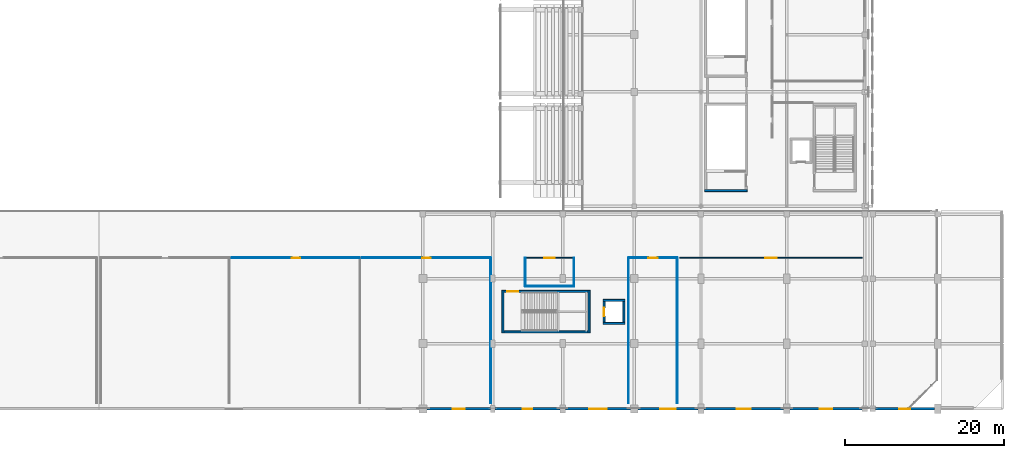
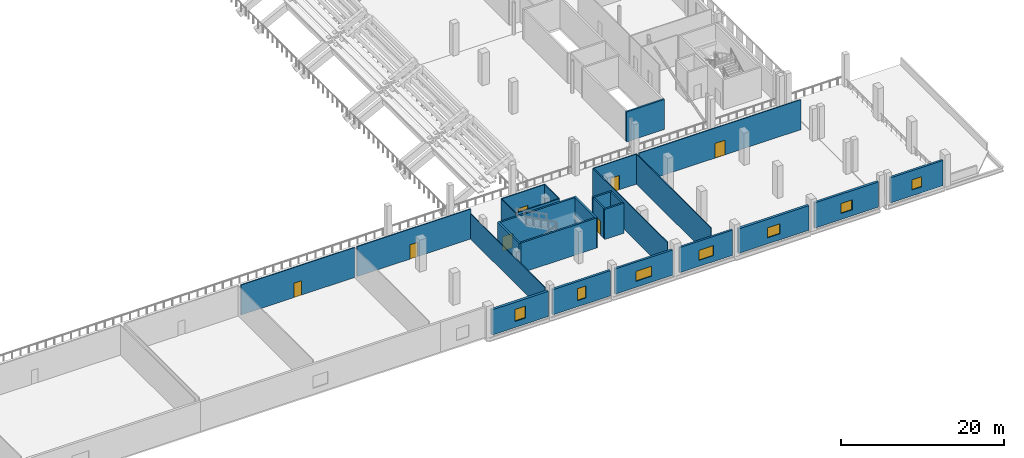
# One storey, part 36 of 74: 27 walls, 7 doors, 7 windows, 14 openings.
"""IFC4 building model written with IfcOpenShell, lengths in metres."""

from ifc_helpers import new_model, si_unit, direction, frame, frame_2d, origin, place, context, subcontext, project, spatial, rectangle, extrude, material, layer, layer_set, type_object, element, fill, save


model = new_model("IFC4")

# Units and contexts
model_context = context("Model", 3, precision=1e-05, world=origin(), true_north=direction((0.0, 1.0)))
body_context = subcontext(model_context, "Body", "Model", "MODEL_VIEW")
ifc_project = project(units=[si_unit("LENGTHUNIT", "METRE"), si_unit("AREAUNIT", "SQUARE_METRE"), si_unit("VOLUMEUNIT", "CUBIC_METRE"), si_unit("PLANEANGLEUNIT", "RADIAN"), si_unit("MASSUNIT", "GRAM", prefix="KILO")], contexts=[model_context])

# Site, building, storey
site_placement = place(None, origin())
site = spatial("IfcSite", under=ifc_project, at=site_placement, CompositionType="ELEMENT")
building_placement = place(site_placement, origin())
building = spatial("IfcBuilding", under=site, at=building_placement, Name="Koshinbarg Plaza Stadium", CompositionType="ELEMENT")
storey_placement = place(building_placement, frame((0.0, 0.0, 15.0)))
storey = spatial("IfcBuildingStorey", under=building, at=storey_placement, Name="L03", CompositionType="ELEMENT", Elevation=15.0)

# Walls
ifc_material_1 = material(Name="Concrete C40/50", Category="concrete")
ifc_layer_1 = layer(ifc_material_1, 0.25)
ifc_layer_set_1 = layer_set([ifc_layer_1], Name="Concrete C40/50")
wall_type_1 = type_object("IfcWallType", Name="WL-CORE-250", PredefinedType="SHEAR", material=ifc_layer_set_1)
for number, where, z_axis, x_axis, name in (
    (1, (172.875, 14.919921875, 0.0), (0.0, 0.0, 1.0), (0.0, -1.0, 0.0), "L03 core stair shear wall C14-near IWL-L03-0322"),
    (2, (183.72509765625, 9.550048828125, 0.0), (0.0, 0.0, 1.0), (0.0, 1.0, 0.0), "L03 core stair shear wall C14-far IWL-L03-0323"),
):
    element("IfcWall", number, at=place(storey_placement, frame(where, z_axis=z_axis, x_axis=x_axis)), inside=storey, type_object=wall_type_1, Name=name, PredefinedType="SHEAR", context=body_context, shape_type="SweptSolid", body=[
        extrude(rectangle(XDim=5.369873046875, YDim=0.25, at=frame_2d((2.68505859375, 0.0))), origin(), (0.0, 0.0, 1.0), 4.5),
    ])

# Wall, opening, door
wall_1_placement = place(storey_placement, frame((172.875, 14.794921875, 0.0), z_axis=(0.0, 0.0, 1.0), x_axis=(1.0, 0.0, 0.0)))
wall_1 = element("IfcWall", 3, at=wall_1_placement, inside=storey, type_object=wall_type_1, Name="L03 core stair shear wall C14-left IWL-L03-0324", PredefinedType="SHEAR", context=body_context, shape_type="SweptSolid", body=[
    extrude(rectangle(XDim=10.85009765625, YDim=0.25, at=frame_2d((5.425048828125, 0.0))), origin(), (0.0, 0.0, 1.0), 4.5),
])
opening_1_placement = place(wall_1_placement, frame((0.52001953125, 0.0, 0.0)))
opening_1 = element("IfcOpeningElement", 4, at=opening_1_placement, cuts=wall_1, Name="Opening D-0143", PredefinedType="OPENING", context=body_context, shape_type="SweptSolid", body=[
    extrude(rectangle(XDim=1.39990234375, YDim=2.14990234375, at=frame_2d((0.699951171875, 1.074951171875))), frame((0.0, 0.135009765625, 0.0), z_axis=(0.0, -1.0, 0.0), x_axis=(1.0, 0.0, 0.0)), (0.0, 0.0, 1.0), 0.27001953125),
])
ifc_material_2 = material(Name="Painted galvanized steel fire door", Category="steel")
door_type_1 = type_object("IfcDoorType", Name="DR-STAIR-1400", OperationType="NOTDEFINED", PredefinedType="DOOR", material=ifc_material_2)
door_1_placement = place(opening_1_placement, frame((1.39990234375, 0.0, 0.0), z_axis=(0.0, 0.0, 1.0), x_axis=(-1.0, 0.0, 0.0)))
door_1 = element("IfcDoor", 5, at=door_1_placement, inside=storey, type_object=door_type_1, Name="L03 exit stair door C14", OperationType="SINGLE_SWING_RIGHT", OverallHeight=2.14990234375, OverallWidth=1.39990234375, PredefinedType="DOOR", context=body_context, shape_type="SweptSolid", body=[
    extrude(rectangle(XDim=1.39990234375, YDim=2.14990234375, at=frame_2d((0.699951171875, 1.074951171875))), frame((0.0, 0.02490234375, 0.0), z_axis=(0.0, -1.0, 0.0), x_axis=(1.0, 0.0, 0.0)), (0.0, 0.0, 1.0), 0.050048828125),
])
fill(opening_1, door_1)

# Walls
wall_2_placement = place(storey_placement, frame((172.875, 9.675048828125, 0.0), z_axis=(0.0, 0.0, 1.0), x_axis=(1.0, 0.0, 0.0)))
element("IfcWall", 6, at=wall_2_placement, inside=storey, type_object=wall_type_1, Name="L03 core stair shear wall C14-right IWL-L03-0325", PredefinedType="SHEAR", context=body_context, shape_type="SweptSolid", body=[
    extrude(rectangle(XDim=10.85009765625, YDim=0.25, at=frame_2d((5.425048828125, 0.0))), origin(), (0.0, 0.0, 1.0), 4.5),
])
wall_3_placement = place(storey_placement, frame((198.25, 27.47509765625, 0.0), z_axis=(0.0, 0.0, 1.0), x_axis=(1.0, 0.0, 0.0)))
element("IfcWall", 7, at=wall_3_placement, inside=storey, type_object=wall_type_1, Name="L03 vomitory stair shear wall VX07-near IWL-L03-0462", PredefinedType="SHEAR", context=body_context, shape_type="SweptSolid", body=[
    extrude(rectangle(XDim=5.3701171875, YDim=0.25, at=frame_2d((2.68505859375, 0.0))), origin(), (0.0, 0.0, 1.0), 4.5),
])
for number, where, z_axis, x_axis, name in (
    (8, (185.47509765625, 10.75, 0.0), (0.0, 0.0, 1.0), (1.0, 0.0, 0.0), "L03 lift shaft shear wall LP10-S IWL-L03-1022"),
    (9, (188.22509765625, 13.64990234375, 0.0), (0.0, 0.0, 1.0), (-1.0, 0.0, 0.0), "L03 lift shaft shear wall LP10-N IWL-L03-1023"),
):
    element("IfcWall", number, at=place(storey_placement, frame(where, z_axis=z_axis, x_axis=x_axis)), inside=storey, type_object=wall_type_1, Name=name, PredefinedType="SHEAR", context=body_context, shape_type="SweptSolid", body=[
        extrude(rectangle(XDim=2.75, YDim=0.25, at=frame_2d((1.375, 0.0))), origin(), (0.0, 0.0, 1.0), 4.5),
    ])

# Wall, opening, door
wall_4_placement = place(storey_placement, frame((185.60009765625, 13.64990234375, 0.0), z_axis=(0.0, 0.0, 1.0), x_axis=(0.0, -1.0, 0.0)))
wall_4 = element("IfcWall", 10, at=wall_4_placement, inside=storey, type_object=wall_type_1, Name="L03 lift shaft shear wall LP10-W IWL-L03-1024", PredefinedType="SHEAR", context=body_context, shape_type="SweptSolid", body=[
    extrude(rectangle(XDim=2.89990234375, YDim=0.25, at=frame_2d((1.449951171875, 0.0))), origin(), (0.0, 0.0, 1.0), 4.5),
])
opening_2_placement = place(wall_4_placement, frame((0.925048828125, 0.0, 0.0)))
opening_2 = element("IfcOpeningElement", 11, at=opening_2_placement, cuts=wall_4, Name="Opening D-0325", PredefinedType="OPENING", context=body_context, shape_type="SweptSolid", body=[
    extrude(rectangle(XDim=1.050048828125, YDim=2.14990234375, at=frame_2d((0.52490234375, 1.074951171875))), frame((0.0, 0.135009765625, 0.0), z_axis=(0.0, -1.0, 0.0), x_axis=(1.0, 0.0, 0.0)), (0.0, 0.0, 1.0), 0.27001953125),
])
ifc_material_3 = material(Name="Brushed stainless steel sliding lift landing door", Category="steel")
door_type_2 = type_object("IfcDoorType", Name="DR-LIFT-1050", OperationType="NOTDEFINED", PredefinedType="DOOR", material=ifc_material_3)
door_2_placement = place(opening_2_placement, origin())
door_2 = element("IfcDoor", 12, at=door_2_placement, inside=storey, type_object=door_type_2, Name="L03 lift landing door LP10", OperationType="SLIDING_TO_LEFT", OverallHeight=2.14990234375, OverallWidth=1.050048828125, PredefinedType="DOOR", context=body_context, shape_type="SweptSolid", body=[
    extrude(rectangle(XDim=1.050048828125, YDim=2.14990234375, at=frame_2d((0.52490234375, 1.074951171875))), frame((0.0, 0.02490234375, 0.0), z_axis=(0.0, -1.0, 0.0), x_axis=(1.0, 0.0, 0.0)), (0.0, 0.0, 1.0), 0.050048828125),
])
fill(opening_2, door_2)

# Wall
wall_5_placement = place(storey_placement, frame((188.10009765625, 10.75, 0.0), z_axis=(0.0, 0.0, 1.0), x_axis=(0.0, 1.0, 0.0)))
element("IfcWall", 13, at=wall_5_placement, inside=storey, type_object=wall_type_1, Name="L03 lift shaft shear wall LP10-E IWL-L03-1025", PredefinedType="SHEAR", context=body_context, shape_type="SweptSolid", body=[
    extrude(rectangle(XDim=2.89990234375, YDim=0.25, at=frame_2d((1.449951171875, 0.0))), origin(), (0.0, 0.0, 1.0), 4.5),
])

# Wall, opening, window
ifc_material_4 = material(Name="Terracotta-ochre mineral plaster insulated wall", Category="masonry")
ifc_layer_2 = layer(ifc_material_4, 0.280029296875)
ifc_layer_set_2 = layer_set([ifc_layer_2], Name="Terracotta-ochre mineral plaster insulated wall")
wall_type_2 = type_object("IfcWallType", Name="WL-EXT-280", PredefinedType="SOLIDWALL", material=ifc_layer_set_2)
wall_6_placement = place(storey_placement, frame((197.405029296875, 0.0, 0.0), z_axis=(0.0, 0.0, 1.0), x_axis=(-1.0, 0.0, 0.0)))
wall_6 = element("IfcWall", 14, at=wall_6_placement, inside=storey, type_object=wall_type_2, Name="L03 exterior envelope wall EWL-L03-0188", PredefinedType="SOLIDWALL", context=body_context, shape_type="SweptSolid", body=[
    extrude(rectangle(XDim=7.510009765625, YDim=0.280029296875, at=frame_2d((3.7548828125, 0.0))), origin(), (0.0, 0.0, 1.0), 3.780029296875),
])
opening_3_placement = place(wall_6_placement, frame((2.7548828125, 0.0, 0.89990234375)))
opening_3 = element("IfcOpeningElement", 15, at=opening_3_placement, cuts=wall_6, Name="Opening WN05", PredefinedType="OPENING", context=body_context, shape_type="SweptSolid", body=[
    extrude(rectangle(XDim=2.0, YDim=1.5, at=frame_2d((1.0, 0.75))), frame((0.0, 0.14990234375, 0.0), z_axis=(0.0, -1.0, 0.0), x_axis=(1.0, 0.0, 0.0)), (0.0, 0.0, 1.0), 0.300048828125),
])
ifc_material_5 = material(Name="Solar-control double glazing in thermally broken aluminium frame", Category="aluminium")
window_type_1 = type_object("IfcWindowType", Name="WN-FAC-05", PartitioningType="DOUBLE_PANEL_VERTICAL", PredefinedType="WINDOW", material=ifc_material_5)
window_1_placement = place(opening_3_placement, origin())
window_1 = element("IfcWindow", 16, at=window_1_placement, inside=storey, type_object=window_type_1, Name="L03 facade window 0121", OverallHeight=1.5, OverallWidth=2.0, PartitioningType="SINGLE_PANEL", PredefinedType="WINDOW", context=body_context, shape_type="SweptSolid", body=[
    extrude(rectangle(XDim=2.0, YDim=1.5, at=frame_2d((1.0, 0.75))), frame((0.0, 0.030029296875, 0.0), z_axis=(0.0, -1.0, 0.0), x_axis=(1.0, 0.0, 0.0)), (0.0, 0.0, 1.0), 0.06005859375),
])
fill(opening_3, window_1)

ifc_material_6 = material(Name="Off-white mineral plaster insulated wall", Category="masonry")
ifc_layer_3 = layer(ifc_material_6, 0.300048828125)
ifc_layer_set_3 = layer_set([ifc_layer_3], Name="Off-white mineral plaster insulated wall")
wall_type_3 = type_object("IfcWallType", Name="WL-EXT-300", PredefinedType="SOLIDWALL", material=ifc_layer_set_3)
wall_7_placement = place(storey_placement, frame((227.205078125, 0.0, 0.0), z_axis=(0.0, 0.0, 1.0), x_axis=(-1.0, 0.0, 0.0)))
wall_7 = element("IfcWall", 17, at=wall_7_placement, inside=storey, type_object=wall_type_3, Name="L03 exterior envelope wall EWL-L03-0185", PredefinedType="SOLIDWALL", context=body_context, shape_type="SweptSolid", body=[
    extrude(rectangle(XDim=7.4599609375, YDim=0.300048828125, at=frame_2d((3.72998046875, 0.0))), origin(), (0.0, 0.0, 1.0), 3.780029296875),
])
opening_4_placement = place(wall_7_placement, frame((3.030029296875, 0.0, 0.89990234375)))
opening_4 = element("IfcOpeningElement", 18, at=opening_4_placement, cuts=wall_7, Name="Opening WN02", PredefinedType="OPENING", context=body_context, shape_type="SweptSolid", body=[
    extrude(rectangle(XDim=1.39990234375, YDim=1.5, at=frame_2d((0.699951171875, 0.75))), frame((0.0, 0.159912109375, 0.0), z_axis=(0.0, -1.0, 0.0), x_axis=(1.0, 0.0, 0.0)), (0.0, 0.0, 1.0), 0.320068359375),
])
window_type_2 = type_object("IfcWindowType", Name="WN-FAC-02", PartitioningType="DOUBLE_PANEL_VERTICAL", PredefinedType="WINDOW", material=ifc_material_5)
window_2_placement = place(opening_4_placement, origin())
window_2 = element("IfcWindow", 19, at=window_2_placement, inside=storey, type_object=window_type_2, Name="L03 facade window 0118", OverallHeight=1.5, OverallWidth=1.39990234375, PartitioningType="SINGLE_PANEL", PredefinedType="WINDOW", context=body_context, shape_type="SweptSolid", body=[
    extrude(rectangle(XDim=1.39990234375, YDim=1.5, at=frame_2d((0.699951171875, 0.75))), frame((0.0, 0.030029296875, 0.0), z_axis=(0.0, -1.0, 0.0), x_axis=(1.0, 0.0, 0.0)), (0.0, 0.0, 1.0), 0.06005859375),
])
fill(opening_4, window_2)

wall_8_placement = place(storey_placement, frame((188.905029296875, 0.0, 0.0), z_axis=(0.0, 0.0, 1.0), x_axis=(-1.0, 0.0, 0.0)))
wall_8 = element("IfcWall", 20, at=wall_8_placement, inside=storey, type_object=wall_type_3, Name="L03 exterior envelope wall EWL-L03-0189", PredefinedType="SOLIDWALL", context=body_context, shape_type="SweptSolid", body=[
    extrude(rectangle(XDim=8.159912109375, YDim=0.300048828125, at=frame_2d((4.080078125, 0.0))), origin(), (0.0, 0.0, 1.0), 3.780029296875),
])
opening_5_placement = place(wall_8_placement, frame((2.97998046875, 0.0, 0.89990234375)))
opening_5 = element("IfcOpeningElement", 21, at=opening_5_placement, cuts=wall_8, Name="Opening WN06", PredefinedType="OPENING", context=body_context, shape_type="SweptSolid", body=[
    extrude(rectangle(XDim=2.199951171875, YDim=1.5, at=frame_2d((1.10009765625, 0.75))), frame((0.0, 0.159912109375, 0.0), z_axis=(0.0, -1.0, 0.0), x_axis=(1.0, 0.0, 0.0)), (0.0, 0.0, 1.0), 0.320068359375),
])
window_type_3 = type_object("IfcWindowType", Name="WN-FAC-06", PartitioningType="DOUBLE_PANEL_VERTICAL", PredefinedType="WINDOW", material=ifc_material_5)
window_3_placement = place(opening_5_placement, origin())
window_3 = element("IfcWindow", 22, at=window_3_placement, inside=storey, type_object=window_type_3, Name="L03 facade window 0122", OverallHeight=1.5, OverallWidth=2.199951171875, PartitioningType="SINGLE_PANEL", PredefinedType="WINDOW", context=body_context, shape_type="SweptSolid", body=[
    extrude(rectangle(XDim=2.199951171875, YDim=1.5, at=frame_2d((1.10009765625, 0.75))), frame((0.0, 0.030029296875, 0.0), z_axis=(0.0, -1.0, 0.0), x_axis=(1.0, 0.0, 0.0)), (0.0, 0.0, 1.0), 0.06005859375),
])
fill(opening_5, window_3)

ifc_material_7 = material(Name="Ultramarine-blue pigmented mineral plaster facade wall", Category="masonry")
ifc_layer_4 = layer(ifc_material_7, 0.320068359375)
ifc_layer_set_4 = layer_set([ifc_layer_4], Name="Ultramarine-blue pigmented mineral plaster facade wall")
wall_type_4 = type_object("IfcWallType", Name="WL-EXT-320", PredefinedType="SOLIDWALL", material=ifc_layer_set_4)
wall_9_placement = place(storey_placement, frame((218.054931640625, 0.0, 0.0), z_axis=(0.0, 0.0, 1.0), x_axis=(-1.0, 0.0, 0.0)))
wall_9 = element("IfcWall", 23, at=wall_9_placement, inside=storey, type_object=wall_type_4, Name="L03 exterior envelope wall EWL-L03-0186", PredefinedType="SOLIDWALL", context=body_context, shape_type="SweptSolid", body=[
    extrude(rectangle(XDim=9.059814453125, YDim=0.320068359375, at=frame_2d((4.52978515625, 0.0))), origin(), (0.0, 0.0, 1.0), 3.780029296875),
])
opening_6_placement = place(wall_9_placement, frame((3.72998046875, 0.0, 0.89990234375)))
opening_6 = element("IfcOpeningElement", 24, at=opening_6_placement, cuts=wall_9, Name="Opening WN03", PredefinedType="OPENING", context=body_context, shape_type="SweptSolid", body=[
    extrude(rectangle(XDim=1.60009765625, YDim=1.5, at=frame_2d((0.800048828125, 0.75))), frame((0.0, 0.169921875, 0.0), z_axis=(0.0, -1.0, 0.0), x_axis=(1.0, 0.0, 0.0)), (0.0, 0.0, 1.0), 0.340087890625),
])
window_type_4 = type_object("IfcWindowType", Name="WN-FAC-03", PartitioningType="DOUBLE_PANEL_VERTICAL", PredefinedType="WINDOW", material=ifc_material_5)
window_4_placement = place(opening_6_placement, origin())
window_4 = element("IfcWindow", 25, at=window_4_placement, inside=storey, type_object=window_type_4, Name="L03 facade window 0119", OverallHeight=1.5, OverallWidth=1.60009765625, PartitioningType="SINGLE_PANEL", PredefinedType="WINDOW", context=body_context, shape_type="SweptSolid", body=[
    extrude(rectangle(XDim=1.60009765625, YDim=1.5, at=frame_2d((0.800048828125, 0.75))), frame((0.0, 0.030029296875, 0.0), z_axis=(0.0, -1.0, 0.0), x_axis=(1.0, 0.0, 0.0)), (0.0, 0.0, 1.0), 0.06005859375),
])
fill(opening_6, window_4)

wall_10_placement = place(storey_placement, frame((180.054931640625, 0.0, 0.0), z_axis=(0.0, 0.0, 1.0), x_axis=(-1.0, 0.0, 0.0)))
wall_10 = element("IfcWall", 26, at=wall_10_placement, inside=storey, type_object=wall_type_4, Name="L03 exterior envelope wall EWL-L03-0190", PredefinedType="SOLIDWALL", context=body_context, shape_type="SweptSolid", body=[
    extrude(rectangle(XDim=8.159912109375, YDim=0.320068359375, at=frame_2d((4.080078125, 0.0))), origin(), (0.0, 0.0, 1.0), 3.780029296875),
])
opening_7_placement = place(wall_10_placement, frame((3.47998046875, 0.0, 0.89990234375)))
opening_7 = element("IfcOpeningElement", 27, at=opening_7_placement, cuts=wall_10, Name="Opening WN07", PredefinedType="OPENING", context=body_context, shape_type="SweptSolid", body=[
    extrude(rectangle(XDim=1.199951171875, YDim=1.800048828125, at=frame_2d((0.60009765625, 0.89990234375))), frame((0.0, 0.169921875, 0.0), z_axis=(0.0, -1.0, 0.0), x_axis=(1.0, 0.0, 0.0)), (0.0, 0.0, 1.0), 0.340087890625),
])
window_type_5 = type_object("IfcWindowType", Name="WN-FAC-07", PartitioningType="DOUBLE_PANEL_VERTICAL", PredefinedType="WINDOW", material=ifc_material_5)
window_5_placement = place(opening_7_placement, origin())
window_5 = element("IfcWindow", 28, at=window_5_placement, inside=storey, type_object=window_type_5, Name="L03 facade window 0123", OverallHeight=1.800048828125, OverallWidth=1.199951171875, PartitioningType="SINGLE_PANEL", PredefinedType="WINDOW", context=body_context, shape_type="SweptSolid", body=[
    extrude(rectangle(XDim=1.199951171875, YDim=1.800048828125, at=frame_2d((0.60009765625, 0.89990234375))), frame((0.0, 0.030029296875, 0.0), z_axis=(0.0, -1.0, 0.0), x_axis=(1.0, 0.0, 0.0)), (0.0, 0.0, 1.0), 0.06005859375),
])
fill(opening_7, window_5)

ifc_material_8 = material(Name="Acoustic insulated masonry stadium wall", Category="masonry")
ifc_layer_5 = layer(ifc_material_8, 0.35009765625)
ifc_layer_set_5 = layer_set([ifc_layer_5], Name="Acoustic insulated masonry stadium wall")
wall_type_5 = type_object("IfcWallType", Name="WL-EXT-350", PredefinedType="SOLIDWALL", material=ifc_layer_set_5)
wall_11_placement = place(storey_placement, frame((208.205078125, 0.0, 0.0), z_axis=(0.0, 0.0, 1.0), x_axis=(-1.0, 0.0, 0.0)))
wall_11 = element("IfcWall", 29, at=wall_11_placement, inside=storey, type_object=wall_type_5, Name="L03 exterior envelope wall EWL-L03-0187", PredefinedType="SOLIDWALL", context=body_context, shape_type="SweptSolid", body=[
    extrude(rectangle(XDim=10.010009765625, YDim=0.35009765625, at=frame_2d((5.0048828125, 0.0))), origin(), (0.0, 0.0, 1.0), 3.679931640625),
])
opening_8_placement = place(wall_11_placement, frame((4.10498046875, 0.0, 0.89990234375)))
opening_8 = element("IfcOpeningElement", 30, at=opening_8_placement, cuts=wall_11, Name="Opening WN04", PredefinedType="OPENING", context=body_context, shape_type="SweptSolid", body=[
    extrude(rectangle(XDim=1.800048828125, YDim=1.5, at=frame_2d((0.89990234375, 0.75))), frame((0.0, 0.18505859375, 0.0), z_axis=(0.0, -1.0, 0.0), x_axis=(1.0, 0.0, 0.0)), (0.0, 0.0, 1.0), 0.3701171875),
])
window_type_6 = type_object("IfcWindowType", Name="WN-FAC-04", PartitioningType="DOUBLE_PANEL_VERTICAL", PredefinedType="WINDOW", material=ifc_material_5)
window_6_placement = place(opening_8_placement, origin())
window_6 = element("IfcWindow", 31, at=window_6_placement, inside=storey, type_object=window_type_6, Name="L03 facade window 0120", OverallHeight=1.5, OverallWidth=1.800048828125, PartitioningType="SINGLE_PANEL", PredefinedType="WINDOW", context=body_context, shape_type="SweptSolid", body=[
    extrude(rectangle(XDim=1.800048828125, YDim=1.5, at=frame_2d((0.89990234375, 0.75))), frame((0.0, 0.030029296875, 0.0), z_axis=(0.0, -1.0, 0.0), x_axis=(1.0, 0.0, 0.0)), (0.0, 0.0, 1.0), 0.06005859375),
])
fill(opening_8, window_6)

wall_12_placement = place(storey_placement, frame((171.304931640625, 0.0, 0.0), z_axis=(0.0, 0.0, 1.0), x_axis=(-1.0, 0.0, 0.0)))
wall_12 = element("IfcWall", 32, at=wall_12_placement, inside=storey, type_object=wall_type_5, Name="L03 exterior envelope wall EWL-L03-0191", PredefinedType="SOLIDWALL", context=body_context, shape_type="SweptSolid", body=[
    extrude(rectangle(XDim=8.010009765625, YDim=0.35009765625, at=frame_2d((4.0048828125, 0.0))), origin(), (0.0, 0.0, 1.0), 3.780029296875),
])
opening_9_placement = place(wall_12_placement, frame((3.2548828125, 0.0, 0.89990234375)))
opening_9 = element("IfcOpeningElement", 33, at=opening_9_placement, cuts=wall_12, Name="Opening WN08", PredefinedType="OPENING", context=body_context, shape_type="SweptSolid", body=[
    extrude(rectangle(XDim=1.5, YDim=1.800048828125, at=frame_2d((0.75, 0.89990234375))), frame((0.0, 0.18505859375, 0.0), z_axis=(0.0, -1.0, 0.0), x_axis=(1.0, 0.0, 0.0)), (0.0, 0.0, 1.0), 0.3701171875),
])
window_type_7 = type_object("IfcWindowType", Name="WN-FAC-08", PartitioningType="DOUBLE_PANEL_VERTICAL", PredefinedType="WINDOW", material=ifc_material_5)
window_7_placement = place(opening_9_placement, origin())
window_7 = element("IfcWindow", 34, at=window_7_placement, inside=storey, type_object=window_type_7, Name="L03 facade window 0124", OverallHeight=1.800048828125, OverallWidth=1.5, PartitioningType="SINGLE_PANEL", PredefinedType="WINDOW", context=body_context, shape_type="SweptSolid", body=[
    extrude(rectangle(XDim=1.5, YDim=1.800048828125, at=frame_2d((0.75, 0.89990234375))), frame((0.0, 0.030029296875, 0.0), z_axis=(0.0, -1.0, 0.0), x_axis=(1.0, 0.0, 0.0)), (0.0, 0.0, 1.0), 0.06005859375),
])
fill(opening_9, window_7)

# Wall, opening, door
ifc_material_9 = material(Name="Gypsum board metal-stud acoustic partition")
ifc_layer_6 = layer(ifc_material_9, 0.1201171875)
ifc_layer_set_6 = layer_set([ifc_layer_6], Name="Gypsum board metal-stud acoustic partition")
wall_type_6 = type_object("IfcWallType", Name="WL-PART-120", PredefinedType="PARTITIONING", material=ifc_layer_set_6)
wall_13_placement = place(storey_placement, frame((154.876708984375, 19.0, 0.0), z_axis=(0.0, 0.0, 1.0), x_axis=(-1.0, 0.0, 0.0)))
wall_13 = element("IfcWall", 35, at=wall_13_placement, inside=storey, type_object=wall_type_6, Name="L03 interior partition L03-121-north IWL-L03-2069", PredefinedType="PARTITIONING", context=body_context, shape_type="SweptSolid", body=[
    extrude(rectangle(XDim=16.1533203125, YDim=0.1201171875, at=frame_2d((8.07666015625, 0.0))), origin(), (0.0, 0.0, 1.0), 4.5),
])
opening_10_placement = place(wall_13_placement, frame((7.5517578125, 0.0, 0.0)))
opening_10 = element("IfcOpeningElement", 36, at=opening_10_placement, cuts=wall_13, Name="Opening D-0711", PredefinedType="OPENING", context=body_context, shape_type="SweptSolid", body=[
    extrude(rectangle(XDim=1.050048828125, YDim=2.14990234375, at=frame_2d((0.52490234375, 1.074951171875))), frame((0.0, 0.070068359375, 0.0), z_axis=(0.0, -1.0, 0.0), x_axis=(1.0, 0.0, 0.0)), (0.0, 0.0, 1.0), 0.14013671875),
])
ifc_material_10 = material(Name="Solid-core oak suite entrance door")
door_type_3 = type_object("IfcDoorType", Name="DR-INT-1050x2150", OperationType="NOTDEFINED", PredefinedType="DOOR", material=ifc_material_10)
door_3_placement = place(opening_10_placement, origin())
door_3 = element("IfcDoor", 37, at=door_3_placement, inside=storey, type_object=door_type_3, Name="L03 South Cafe Kiosk door D-0711", OperationType="SINGLE_SWING_LEFT", OverallHeight=2.14990234375, OverallWidth=1.050048828125, PredefinedType="DOOR", context=body_context, shape_type="SweptSolid", body=[
    extrude(rectangle(XDim=1.050048828125, YDim=2.14990234375, at=frame_2d((0.52490234375, 1.074951171875))), frame((0.0, 0.02490234375, 0.0), z_axis=(0.0, -1.0, 0.0), x_axis=(1.0, 0.0, 0.0)), (0.0, 0.0, 1.0), 0.050048828125),
])
fill(opening_10, door_3)

# Wall
wall_14_placement = place(storey_placement, frame((171.330078125, 0.699951171875, 0.0), z_axis=(0.0, 0.0, 1.0), x_axis=(0.0, 1.0, 0.0)))
element("IfcWall", 38, at=wall_14_placement, inside=storey, type_object=wall_type_6, Name="L03 interior partition L03-122-east IWL-L03-2070", PredefinedType="PARTITIONING", context=body_context, shape_type="SweptSolid", body=[
    extrude(rectangle(XDim=18.300048828125, YDim=0.1201171875, at=frame_2d((9.14990234375, 0.0))), origin(), (0.0, 0.0, 1.0), 3.780029296875),
])

# Wall, opening, door
wall_15_placement = place(storey_placement, frame((171.330078125, 19.0, 0.0), z_axis=(0.0, 0.0, 1.0), x_axis=(-1.0, 0.0, 0.0)))
wall_15 = element("IfcWall", 39, at=wall_15_placement, inside=storey, type_object=wall_type_6, Name="L03 interior partition L03-122-north IWL-L03-2071", PredefinedType="PARTITIONING", context=body_context, shape_type="SweptSolid", body=[
    extrude(rectangle(XDim=16.1533203125, YDim=0.1201171875, at=frame_2d((8.07666015625, 0.0))), origin(), (0.0, 0.0, 1.0), 4.5),
])
opening_11_placement = place(wall_15_placement, frame((7.5166015625, 0.0, 0.0)))
opening_11 = element("IfcOpeningElement", 40, at=opening_11_placement, cuts=wall_15, Name="Opening D-0712", PredefinedType="OPENING", context=body_context, shape_type="SweptSolid", body=[
    extrude(rectangle(XDim=1.1201171875, YDim=2.14990234375, at=frame_2d((0.56005859375, 1.074951171875))), frame((0.0, 0.070068359375, 0.0), z_axis=(0.0, -1.0, 0.0), x_axis=(1.0, 0.0, 0.0)), (0.0, 0.0, 1.0), 0.14013671875),
])
ifc_material_11 = material(Name="Acoustic timber broadcast studio door", Category="wood")
door_type_4 = type_object("IfcDoorType", Name="DR-INT-1120x2150", OperationType="NOTDEFINED", PredefinedType="DOOR", material=ifc_material_11)
door_4_placement = place(opening_11_placement, origin())
door_4 = element("IfcDoor", 41, at=door_4_placement, inside=storey, type_object=door_type_4, Name="L03 South Upper Concourse door D-0712", OperationType="SINGLE_SWING_RIGHT", OverallHeight=2.14990234375, OverallWidth=1.1201171875, PredefinedType="DOOR", context=body_context, shape_type="SweptSolid", body=[
    extrude(rectangle(XDim=1.1201171875, YDim=2.14990234375, at=frame_2d((0.56005859375, 1.074951171875))), frame((0.0, 0.02490234375, 0.0), z_axis=(0.0, -1.0, 0.0), x_axis=(1.0, 0.0, 0.0)), (0.0, 0.0, 1.0), 0.050048828125),
])
fill(opening_11, door_4)

# Wall
wall_16_placement = place(storey_placement, frame((194.83740234375, 0.699951171875, 0.0), z_axis=(0.0, 0.0, 1.0), x_axis=(0.0, 1.0, 0.0)))
element("IfcWall", 42, at=wall_16_placement, inside=storey, type_object=wall_type_6, Name="L03 interior partition L03-123-east IWL-L03-2072", PredefinedType="PARTITIONING", context=body_context, shape_type="SweptSolid", body=[
    extrude(rectangle(XDim=18.300048828125, YDim=0.1201171875, at=frame_2d((9.14990234375, 0.0))), origin(), (0.0, 0.0, 1.0), 4.5),
])

# Wall, opening, door
wall_17_placement = place(storey_placement, frame((194.83740234375, 19.0, 0.0), z_axis=(0.0, 0.0, 1.0), x_axis=(-1.0, 0.0, 0.0)))
wall_17 = element("IfcWall", 43, at=wall_17_placement, inside=storey, type_object=wall_type_6, Name="L03 interior partition L03-123-north IWL-L03-2073", PredefinedType="PARTITIONING", context=body_context, shape_type="SweptSolid", body=[
    extrude(rectangle(XDim=6.157470703125, YDim=0.1201171875, at=frame_2d((3.07861328125, 0.0))), origin(), (0.0, 0.0, 1.0), 4.5),
])
opening_12_placement = place(wall_17_placement, frame((2.478759765625, 0.0, 0.0)))
opening_12 = element("IfcOpeningElement", 44, at=opening_12_placement, cuts=wall_17, Name="Opening D-0713", PredefinedType="OPENING", context=body_context, shape_type="SweptSolid", body=[
    extrude(rectangle(XDim=1.199951171875, YDim=2.14990234375, at=frame_2d((0.60009765625, 1.074951171875))), frame((0.0, 0.070068359375, 0.0), z_axis=(0.0, -1.0, 0.0), x_axis=(1.0, 0.0, 0.0)), (0.0, 0.0, 1.0), 0.14013671875),
])
ifc_material_12 = material(Name="Solid-core hardwood leaf in painted steel frame", Category="steel")
door_type_5 = type_object("IfcDoorType", Name="DR-INT-1200x2150", OperationType="NOTDEFINED", PredefinedType="DOOR", material=ifc_material_12)
door_5_placement = place(opening_12_placement, origin())
door_5 = element("IfcDoor", 45, at=door_5_placement, inside=storey, type_object=door_type_5, Name="L03 South Cafe Kiosk door D-0713", OperationType="SINGLE_SWING_LEFT", OverallHeight=2.14990234375, OverallWidth=1.199951171875, PredefinedType="DOOR", context=body_context, shape_type="SweptSolid", body=[
    extrude(rectangle(XDim=1.199951171875, YDim=2.14990234375, at=frame_2d((0.60009765625, 1.074951171875))), frame((0.0, 0.02490234375, 0.0), z_axis=(0.0, -1.0, 0.0), x_axis=(1.0, 0.0, 0.0)), (0.0, 0.0, 1.0), 0.050048828125),
])
fill(opening_12, door_5)

# Walls
wall_18_placement = place(storey_placement, frame((188.679931640625, 19.0, 0.0), z_axis=(0.0, 0.0, 1.0), x_axis=(0.0, -1.0, 0.0)))
element("IfcWall", 46, at=wall_18_placement, inside=storey, type_object=wall_type_6, Name="L03 interior partition L03-123-west IWL-L03-2074", PredefinedType="PARTITIONING", context=body_context, shape_type="SweptSolid", body=[
    extrude(rectangle(XDim=18.300048828125, YDim=0.1201171875, at=frame_2d((9.14990234375, 0.0))), origin(), (0.0, 0.0, 1.0), 4.5),
])
wall_19_placement = place(storey_placement, frame((175.679931640625, 15.449951171875, 0.0), z_axis=(0.0, 0.0, 1.0), x_axis=(1.0, 0.0, 0.0)))
element("IfcWall", 47, at=wall_19_placement, inside=storey, type_object=wall_type_6, Name="L03 interior partition L03-124-south IWL-L03-2075", PredefinedType="PARTITIONING", context=body_context, shape_type="SweptSolid", body=[
    extrude(rectangle(XDim=6.14013671875, YDim=0.1201171875, at=frame_2d((3.070068359375, 0.0))), origin(), (0.0, 0.0, 1.0), 4.5),
])
wall_20_placement = place(storey_placement, frame((181.820068359375, 15.449951171875, 0.0), z_axis=(0.0, 0.0, 1.0), x_axis=(0.0, 1.0, 0.0)))
element("IfcWall", 48, at=wall_20_placement, inside=storey, type_object=wall_type_6, Name="L03 interior partition L03-124-east IWL-L03-2076", PredefinedType="PARTITIONING", context=body_context, shape_type="SweptSolid", body=[
    extrude(rectangle(XDim=3.550048828125, YDim=0.1201171875, at=frame_2d((1.77490234375, 0.0))), origin(), (0.0, 0.0, 1.0), 4.5),
])

# Wall, opening, door
wall_21_placement = place(storey_placement, frame((181.820068359375, 19.0, 0.0), z_axis=(0.0, 0.0, 1.0), x_axis=(-1.0, 0.0, 0.0)))
wall_21 = element("IfcWall", 49, at=wall_21_placement, inside=storey, type_object=wall_type_6, Name="L03 interior partition L03-124-north IWL-L03-2077", PredefinedType="PARTITIONING", context=body_context, shape_type="SweptSolid", body=[
    extrude(rectangle(XDim=6.14013671875, YDim=0.1201171875, at=frame_2d((3.070068359375, 0.0))), origin(), (0.0, 0.0, 1.0), 4.5),
])
opening_13_placement = place(wall_21_placement, frame((2.419921875, 0.0, 0.0)))
opening_13 = element("IfcOpeningElement", 50, at=opening_13_placement, cuts=wall_21, Name="Opening D-0714", PredefinedType="OPENING", context=body_context, shape_type="SweptSolid", body=[
    extrude(rectangle(XDim=1.300048828125, YDim=2.199951171875, at=frame_2d((0.64990234375, 1.10009765625))), frame((0.0, 0.070068359375, 0.0), z_axis=(0.0, -1.0, 0.0), x_axis=(1.0, 0.0, 0.0)), (0.0, 0.0, 1.0), 0.14013671875),
])
ifc_material_13 = material(Name="Thermally broken anodised aluminium glazed door", Category="aluminium")
door_type_6 = type_object("IfcDoorType", Name="DR-INT-1300x2200", OperationType="NOTDEFINED", PredefinedType="DOOR", material=ifc_material_13)
door_6_placement = place(opening_13_placement, origin())
door_6 = element("IfcDoor", 51, at=door_6_placement, inside=storey, type_object=door_type_6, Name="L03 South Upper Concourse door D-0714", OperationType="SINGLE_SWING_RIGHT", OverallHeight=2.199951171875, OverallWidth=1.300048828125, PredefinedType="DOOR", context=body_context, shape_type="SweptSolid", body=[
    extrude(rectangle(XDim=1.300048828125, YDim=2.199951171875, at=frame_2d((0.64990234375, 1.10009765625))), frame((0.0, 0.02490234375, 0.0), z_axis=(0.0, -1.0, 0.0), x_axis=(1.0, 0.0, 0.0)), (0.0, 0.0, 1.0), 0.050048828125),
])
fill(opening_13, door_6)

# Wall
wall_22_placement = place(storey_placement, frame((175.679931640625, 19.0, 0.0), z_axis=(0.0, 0.0, 1.0), x_axis=(0.0, -1.0, 0.0)))
element("IfcWall", 52, at=wall_22_placement, inside=storey, type_object=wall_type_6, Name="L03 interior partition L03-124-west IWL-L03-2078", PredefinedType="PARTITIONING", context=body_context, shape_type="SweptSolid", body=[
    extrude(rectangle(XDim=3.550048828125, YDim=0.1201171875, at=frame_2d((1.77490234375, 0.0))), origin(), (0.0, 0.0, 1.0), 4.5),
])

# Wall, opening, door
wall_23_placement = place(storey_placement, frame((218.10498046875, 19.0, 0.0), z_axis=(0.0, 0.0, 1.0), x_axis=(-1.0, 0.0, 0.0)))
wall_23 = element("IfcWall", 53, at=wall_23_placement, inside=storey, type_object=wall_type_6, Name="L03 interior partition L03-125-north IWL-L03-2079", PredefinedType="PARTITIONING", context=body_context, shape_type="SweptSolid", body=[
    extrude(rectangle(XDim=22.967529296875, YDim=0.1201171875, at=frame_2d((11.48388671875, 0.0))), origin(), (0.0, 0.0, 1.0), 4.5),
])
opening_14_placement = place(wall_23_placement, frame((10.78369140625, 0.0, 0.0)))
opening_14 = element("IfcOpeningElement", 54, at=opening_14_placement, cuts=wall_23, Name="Opening D-0715", PredefinedType="OPENING", context=body_context, shape_type="SweptSolid", body=[
    extrude(rectangle(XDim=1.39990234375, YDim=2.199951171875, at=frame_2d((0.699951171875, 1.10009765625))), frame((0.0, 0.070068359375, 0.0), z_axis=(0.0, -1.0, 0.0), x_axis=(1.0, 0.0, 0.0)), (0.0, 0.0, 1.0), 0.14013671875),
])
ifc_material_14 = material(Name="Stainless-clad solid-core timber double fire door", Category="wood")
door_type_7 = type_object("IfcDoorType", Name="DR-INT-1400x2200", OperationType="NOTDEFINED", PredefinedType="DOOR", material=ifc_material_14)
door_7_placement = place(opening_14_placement, origin())
door_7 = element("IfcDoor", 55, at=door_7_placement, inside=storey, type_object=door_type_7, Name="L03 South Upper Concourse door D-0715", OperationType="DOUBLE_DOOR_SINGLE_SWING", OverallHeight=2.199951171875, OverallWidth=1.39990234375, PredefinedType="DOOR", context=body_context, shape_type="SweptSolid", body=[
    extrude(rectangle(XDim=1.39990234375, YDim=2.199951171875, at=frame_2d((0.699951171875, 1.10009765625))), frame((0.0, 0.02490234375, 0.0), z_axis=(0.0, -1.0, 0.0), x_axis=(1.0, 0.0, 0.0)), (0.0, 0.0, 1.0), 0.050048828125),
])
fill(opening_14, door_7)

save(model, "model.ifc")
